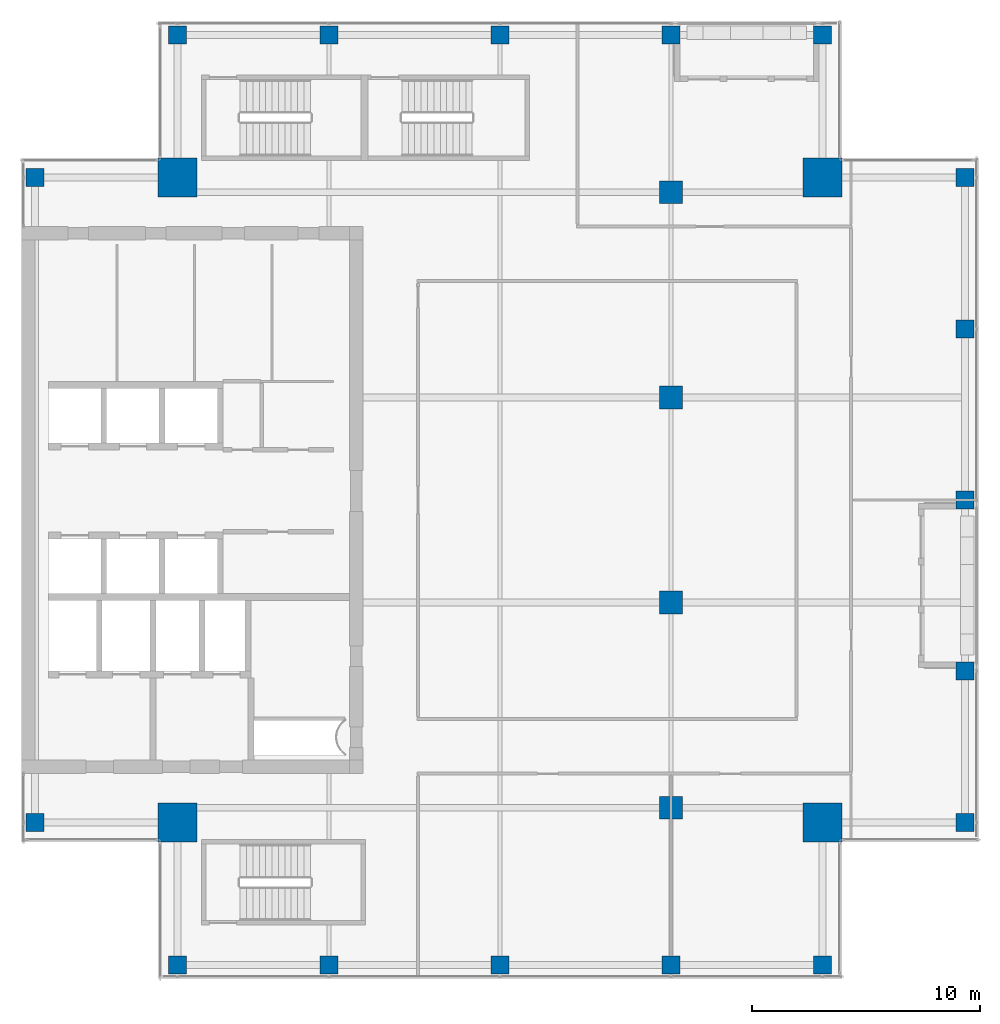
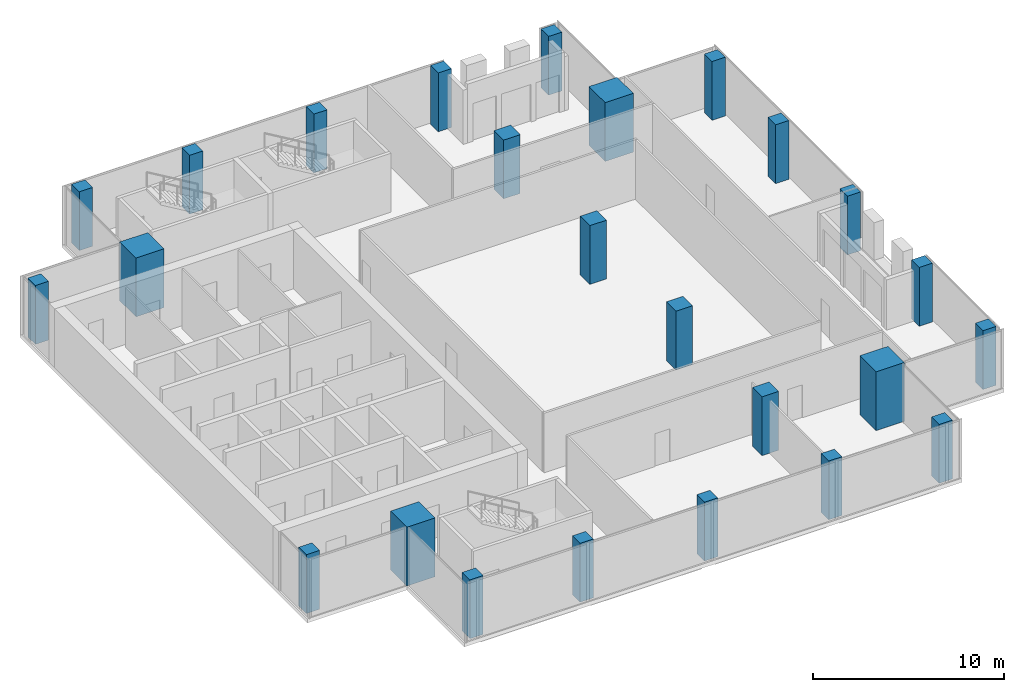
# One storey, part 1 of 29: 25 columns.
"""IFC4 building model written with IfcOpenShell, lengths in metres."""

import ifcopenshell
import ifcopenshell.guid

model = None  # the IFC model being written
_history = None  # IfcOwnerHistory: only IFC2X3 demands one
_inside = {}  # id of a spatial element -> (the spatial element, [elements in it])
_under = {}  # id of a project, library or spatial element -> (it, [spatial elements below it])
_declared = {}  # id of a project -> (the project, [libraries it declares])
_typed = {}  # id of a type object -> (the type object, [elements of that type])
_made_of = {}  # id of a material, layer set ... -> (it, [elements and type objects made of it])


def new_model(schema):
    """Start an empty IFC model of exactly this schema.

    Asked for "IFC4X3", IfcOpenShell would pick the latest addendum, in which some entities
    have other attributes; the version numbers below select the first issue.
    IFC2X3 requires an IfcOwnerHistory on every rooted entity: one is made here for all.
    """
    global model, _history
    if schema == "IFC4X3":
        model = ifcopenshell.file(schema_version=(4, 3, 0, 0))
    else:
        model = ifcopenshell.file(schema=schema)
    _inside.clear()
    _under.clear()
    _declared.clear()
    _typed.clear()
    _made_of.clear()
    _history = None
    if model.schema == "IFC2X3":
        org = make("IfcOrganization", Name="unknown")
        user = make(
            "IfcPersonAndOrganization",
            ThePerson=make("IfcPerson", FamilyName="unknown"),
            TheOrganization=org,
        )
        app = make(
            "IfcApplication",
            ApplicationDeveloper=org,
            Version="unknown",
            ApplicationFullName="unknown",
            ApplicationIdentifier="unknown",
        )
        _history = make(
            "IfcOwnerHistory",
            OwningUser=user,
            OwningApplication=app,
            ChangeAction="ADDED",
            CreationDate=0,
        )
    return model


def make(cls, **values):
    """One entity of the class cls with the attributes given. An attribute that is None is left unset."""
    return model.create_entity(
        cls, **{name: value for name, value in values.items() if value is not None}
    )


def rooted(cls, **values):
    """An entity with a GlobalId (a new one), such as an element, a storey or a relation."""
    return make(cls, GlobalId=ifcopenshell.guid.new(), OwnerHistory=_history, **values)


def si_unit(unit_type, name, prefix=None):
    """IfcSIUnit, for example si_unit("LENGTHUNIT", "METRE", prefix="MILLI")."""
    return make("IfcSIUnit", UnitType=unit_type, Prefix=prefix, Name=name)


def assignment(units):
    """IfcUnitAssignment: the units of a project."""
    return None if units is None else make("IfcUnitAssignment", Units=units)


def point(xyz):
    """IfcCartesianPoint."""
    return None if xyz is None else make("IfcCartesianPoint", Coordinates=xyz)


def direction(xyz):
    """IfcDirection."""
    return None if xyz is None else make("IfcDirection", DirectionRatios=xyz)


def frame(location, z_axis=None, x_axis=None):
    """IfcAxis2Placement3D, a coordinate frame: its origin and axes. An axis left out is left unset."""
    return make(
        "IfcAxis2Placement3D",
        Location=point(location),
        Axis=direction(z_axis),
        RefDirection=direction(x_axis),
    )


def frame_2d(location, x_axis=None):
    """IfcAxis2Placement2D, a coordinate frame in the plane: its origin and x axis."""
    return make(
        "IfcAxis2Placement2D", Location=point(location), RefDirection=direction(x_axis)
    )


def origin():
    """The frame at (0, 0, 0) with its axes left unset."""
    return frame((0.0, 0.0, 0.0))


def origin_2d():
    """The frame at (0, 0) in the plane with its x axis left unset."""
    return frame_2d((0.0, 0.0))


def place(relative_to, where):
    """IfcLocalPlacement: puts the frame where relative to a parent placement (None: the world)."""
    return make(
        "IfcLocalPlacement", PlacementRelTo=relative_to, RelativePlacement=where
    )


def context(
    kind, dimensions, precision=None, world=None, true_north=None, identifier=None
):
    """IfcGeometricRepresentationContext, for example the 3D "Model" context."""
    return make(
        "IfcGeometricRepresentationContext",
        ContextIdentifier=identifier,
        ContextType=kind,
        CoordinateSpaceDimension=dimensions,
        Precision=precision,
        WorldCoordinateSystem=world,
        TrueNorth=true_north,
    )


def subcontext(parent, identifier, kind, view, scale=None):
    """IfcGeometricRepresentationSubContext, for example "Body" below "Model"."""
    return make(
        "IfcGeometricRepresentationSubContext",
        ContextIdentifier=identifier,
        ContextType=kind,
        ParentContext=parent,
        TargetScale=scale,
        TargetView=view,
    )


def project(units=None, contexts=None):
    """IfcProject with its units and contexts."""
    return rooted(
        "IfcProject",
        Name="project",
        RepresentationContexts=contexts,
        UnitsInContext=assignment(units),
    )


def spatial(cls, under=None, at=None, **own):
    """A site, building, storey or space (cls), placed at a placement, below another one or the project."""
    s = rooted(cls, ObjectPlacement=at, **own)
    if under is not None:
        _under.setdefault(under.id(), (under, []))[1].append(s)
    return s


def profile(cls, at=None, kind="AREA", **sizes):
    """A parametric profile (cls). Its sizes go by their IFC names, for example OverallWidth=200.0."""
    return make(cls, ProfileType=kind, Position=at, **sizes)


def rectangle(**sizes):
    """IfcRectangleProfileDef."""
    return profile("IfcRectangleProfileDef", **sizes)


def extrude(swept, where, along, depth):
    """IfcExtrudedAreaSolid: the profile swept, set in the frame where, extruded along a direction by depth."""
    return make(
        "IfcExtrudedAreaSolid",
        SweptArea=swept,
        Position=where,
        ExtrudedDirection=direction(along),
        Depth=depth,
    )


def shape(context_of_items, identifier, shape_type, items):
    """IfcShapeRepresentation: the items that make up one representation, for example the "Body"."""
    return make(
        "IfcShapeRepresentation",
        ContextOfItems=context_of_items,
        RepresentationIdentifier=identifier,
        RepresentationType=shape_type,
        Items=items,
    )


def source(mapping_origin, context_of_items, identifier, shape_type, items):
    """IfcRepresentationMap: a shape defined once, which mapped items show again and again."""
    return make(
        "IfcRepresentationMap",
        MappingOrigin=mapping_origin,
        MappedRepresentation=shape(context_of_items, identifier, shape_type, items),
    )


def transform(
    local_origin,
    x_axis=None,
    y_axis=None,
    z_axis=None,
    scale=None,
    scale2=None,
    scale3=None,
    uniform=True,
):
    """IfcCartesianTransformationOperator3D, or its non-uniform kind. x_axis, y_axis, z_axis: its Axis1, 2, 3."""
    if uniform:
        return make(
            "IfcCartesianTransformationOperator3D",
            Axis1=direction(x_axis),
            Axis2=direction(y_axis),
            LocalOrigin=point(local_origin),
            Scale=scale,
            Axis3=direction(z_axis),
        )
    return make(
        "IfcCartesianTransformationOperator3DnonUniform",
        Axis1=direction(x_axis),
        Axis2=direction(y_axis),
        LocalOrigin=point(local_origin),
        Scale=scale,
        Axis3=direction(z_axis),
        Scale2=scale2,
        Scale3=scale3,
    )


def mapped(mapping_source, mapping_target):
    """IfcMappedItem: shows the shape of a source again, moved by a transform."""
    return make(
        "IfcMappedItem", MappingSource=mapping_source, MappingTarget=mapping_target
    )


def material(Name=None, Category=None):
    """IfcMaterial."""
    return make("IfcMaterial", Name=Name, Category=Category)


def material_profile(
    of_material, cross_section, Name=None, Category=None, Priority=None
):
    """IfcMaterialProfile: a cross section and its material."""
    return make(
        "IfcMaterialProfile",
        Name=Name,
        Material=of_material,
        Profile=cross_section,
        Priority=Priority,
        Category=Category,
    )


def profile_set(profiles, Name=None, composite=None):
    """IfcMaterialProfileSet."""
    return make(
        "IfcMaterialProfileSet",
        Name=Name,
        MaterialProfiles=profiles,
        CompositeProfile=composite,
    )


def made_of(thing, what):
    """Note that an element or type object is made of a material, layer set ...; save() writes the relation."""
    if what is not None:
        _made_of.setdefault(what.id(), (what, []))[1].append(thing)
    return thing


def type_object(cls, material=None, **own):
    """A type object (cls), such as IfcWallType, which elements share."""
    return made_of(rooted(cls, **own), material)


def element(
    cls,
    number,
    at=None,
    inside=None,
    cuts=None,
    type_object=None,
    material=None,
    context=None,
    identifier="Body",
    shape_type=None,
    held_by="IfcProductDefinitionShape",
    body=None,
    shapes=None,
    **own,
):
    """One element of the class cls, such as IfcWall. Its Tag is "e" and its number.

    at: its placement. inside: the storey or other place that contains it. cuts: it is an
    opening in that element (IfcRelVoidsElement). A single representation is given by context,
    identifier, shape_type and body (its items); several are given by shapes. held_by: the class
    of the entity that holds the representations. save() writes the other relations.
    """
    e = rooted(cls, Tag="e%d" % number, ObjectPlacement=at, **own)
    if body is not None:
        shapes = [shape(context, identifier, shape_type, body)]
    if shapes is not None:
        e.Representation = make(held_by, Representations=shapes)
    if inside is not None:
        _inside.setdefault(inside.id(), (inside, []))[1].append(e)
    if cuts is not None:
        rooted(
            "IfcRelVoidsElement", RelatingBuildingElement=cuts, RelatedOpeningElement=e
        )
    if type_object is not None:
        _typed.setdefault(type_object.id(), (type_object, []))[1].append(e)
    return made_of(e, material)


def aggregate(whole, parts):
    """IfcRelAggregates: a whole, such as a stair, and the parts it consists of."""
    return rooted("IfcRelAggregates", RelatingObject=whole, RelatedObjects=parts)


def save(model, path):
    """Write the relations noted so far, then the file.

    IfcRelAggregates (storeys below a building ...), IfcRelContainedInSpatialStructure (elements
    in a storey), IfcRelDefinesByType, IfcRelAssociatesMaterial and IfcRelDeclares: one each for
    every whole, place, type object, material and project.
    """
    for whole, parts in _under.values():
        aggregate(whole, parts)
    for where, things in _inside.values():
        rooted(
            "IfcRelContainedInSpatialStructure",
            RelatedElements=things,
            RelatingStructure=where,
        )
    for kind, things in _typed.values():
        rooted("IfcRelDefinesByType", RelatedObjects=things, RelatingType=kind)
    for what, things in _made_of.values():
        rooted("IfcRelAssociatesMaterial", RelatedObjects=things, RelatingMaterial=what)
    for by, libraries in _declared.values():
        rooted("IfcRelDeclares", RelatingContext=by, RelatedDefinitions=libraries)
    model.write(path)


model = new_model("IFC4")

# Units and contexts
model_context = context("Model", 3, precision=1e-05, world=origin(), true_north=direction((0.0, 1.0)))
body_context = subcontext(model_context, "Body", "Model", "MODEL_VIEW")
ifc_project = project(units=[si_unit("LENGTHUNIT", "METRE"), si_unit("AREAUNIT", "SQUARE_METRE"), si_unit("VOLUMEUNIT", "CUBIC_METRE"), si_unit("PLANEANGLEUNIT", "RADIAN"), si_unit("MASSUNIT", "GRAM", prefix="KILO")], contexts=[model_context])

# Site, building, storey
site_placement = place(None, origin())
site = spatial("IfcSite", under=ifc_project, at=site_placement, CompositionType="ELEMENT")
building_placement = place(site_placement, origin())
building = spatial("IfcBuilding", under=site, at=building_placement, Name="Khomas Fold Tower", CompositionType="ELEMENT")
storey_placement = place(building_placement, frame((0.0, 0.0, 322.199951171875)))
storey = spatial("IfcBuildingStorey", under=building, at=storey_placement, Name="L73", CompositionType="ELEMENT", Elevation=322.199951171875)

# Columns
ifc_material_1 = material(Name="Concrete C50/60", Category="concrete")
ifc_material_profile_1 = material_profile(ifc_material_1, rectangle(XDim=1.0, YDim=1.0, at=origin_2d()), Name="RC 1000x1000")
ifc_profile_set_1 = profile_set([ifc_material_profile_1], Name="Concrete C50/60")
column_type_1 = type_object("IfcColumnType", Name="RC 1000x1000 column", PredefinedType="COLUMN", material=ifc_profile_set_1)
shared_shape_1 = source(origin(), body_context, "Body", "SweptSolid", [
    extrude(rectangle(XDim=1.0, YDim=1.0, at=origin_2d()), origin(), (0.0, 0.0, 1.0), 3.75),
])
for number, where, z_axis, x_axis, name in (
    (1, (34.5, 13.5, 0.0), (0.0, 0.0, 1.0), (1.0, 0.0, 0.0), "C-10-H"),
    (2, (34.5, 22.5, 0.0), (0.0, 0.0, 1.0), (1.0, 0.0, 0.0), "C-10-K"),
    (3, (34.5, 31.5, 0.0), (0.0, 0.0, 1.0), (1.0, 0.0, 0.0), "C-10-M"),
    (4, (34.5, 40.5, 0.0), (0.0, 0.0, 1.0), (1.0, 0.0, 0.0), "C-10-P"),
):
    element("IfcColumn", number, at=place(storey_placement, frame(where, z_axis=z_axis, x_axis=x_axis)), inside=storey, type_object=column_type_1, Name=name, PredefinedType="COLUMN", context=body_context, shape_type="MappedRepresentation", body=[
        mapped(shared_shape_1, transform((0.0, 0.0, 0.0))),
    ])
ifc_material_2 = material(Name="Concrete C60/75", Category="concrete")
ifc_material_profile_2 = material_profile(ifc_material_2, rectangle(XDim=1.699951171875, YDim=1.699951171875, at=origin_2d()), Name="RC 1700x1700")
ifc_profile_set_2 = profile_set([ifc_material_profile_2], Name="Concrete C60/75")
column_type_2 = type_object("IfcColumnType", Name="RC 1700x1700 column", PredefinedType="COLUMN", material=ifc_profile_set_2)
shared_shape_2 = source(origin(), body_context, "Body", "SweptSolid", [
    extrude(rectangle(XDim=1.699951171875, YDim=1.699951171875, at=origin_2d()), origin(), (0.0, 0.0, 1.0), 3.75),
])
for number, where, z_axis, x_axis, name in (
    (5, (41.14990234375, 41.14990234375, 0.0), (0.0, 0.0, 1.0), (1.0, 0.0, 0.0), "CM-NE"),
    (6, (12.85009765625, 41.14990234375, 0.0), (0.0, 0.0, 1.0), (1.0, 0.0, 0.0), "CM-NW"),
    (7, (41.14990234375, 12.85009765625, 0.0), (0.0, 0.0, 1.0), (1.0, 0.0, 0.0), "CM-SE"),
    (8, (12.85009765625, 12.85009765625, 0.0), (0.0, 0.0, 1.0), (1.0, 0.0, 0.0), "CM-SW"),
):
    element("IfcColumn", number, at=place(storey_placement, frame(where, z_axis=z_axis, x_axis=x_axis)), inside=storey, type_object=column_type_2, Name=name, PredefinedType="COLUMN", context=body_context, shape_type="MappedRepresentation", body=[
        mapped(shared_shape_2, transform((0.0, 0.0, 0.0))),
    ])
ifc_material_3 = material(Name="Concrete C50/60", Category="concrete")
ifc_material_profile_3 = material_profile(ifc_material_3, rectangle(XDim=0.800048828125, YDim=0.800048828125, at=origin_2d()), Name="RC 800x800")
ifc_profile_set_3 = profile_set([ifc_material_profile_3], Name="Concrete C50/60")
column_type_3 = type_object("IfcColumnType", Name="RC 800x800 column", PredefinedType="COLUMN", material=ifc_profile_set_3)
shared_shape_3 = source(origin(), body_context, "Body", "SweptSolid", [
    extrude(rectangle(XDim=0.800048828125, YDim=0.800048828125, at=origin_2d()), origin(), (0.0, 0.0, 1.0), 3.75),
])
for number, where, z_axis, x_axis, name in (
    (9, (12.85009765625, 6.60009765625, 0.0), (0.0, 0.0, 1.0), (1.0, 0.0, 0.0), "C-7-SF5"),
    (10, (19.5, 6.60009765625, 0.0), (0.0, 0.0, 1.0), (1.0, 0.0, 0.0), "C-8-SF5"),
    (11, (27.0, 6.60009765625, 0.0), (0.0, 0.0, 1.0), (1.0, 0.0, 0.0), "C-9-SF5"),
    (12, (34.5, 6.60009765625, 0.0), (0.0, 0.0, 1.0), (1.0, 0.0, 0.0), "C-10-SF5"),
    (13, (41.14990234375, 6.60009765625, 0.0), (0.0, 0.0, 1.0), (1.0, 0.0, 0.0), "C-12-SF5"),
    (14, (47.39990234375, 12.85009765625, 0.0), (0.0, 0.0, 1.0), (1.0, 0.0, 0.0), "C-E5-G"),
    (15, (47.39990234375, 19.5, 0.0), (0.0, 0.0, 1.0), (1.0, 0.0, 0.0), "C-E5-J"),
    (16, (47.39990234375, 27.0, 0.0), (0.0, 0.0, 1.0), (1.0, 0.0, 0.0), "C-E5-L"),
    (17, (47.39990234375, 34.5, 0.0), (0.0, 0.0, 1.0), (1.0, 0.0, 0.0), "C-E5-N"),
    (18, (47.39990234375, 41.14990234375, 0.0), (0.0, 0.0, 1.0), (1.0, 0.0, 0.0), "C-E5-Q"),
    (19, (12.85009765625, 47.39990234375, 0.0), (0.0, 0.0, 1.0), (1.0, 0.0, 0.0), "C-7-NF5"),
    (20, (19.5, 47.39990234375, 0.0), (0.0, 0.0, 1.0), (1.0, 0.0, 0.0), "C-8-NF5"),
    (21, (27.0, 47.39990234375, 0.0), (0.0, 0.0, 1.0), (1.0, 0.0, 0.0), "C-9-NF5"),
    (22, (34.5, 47.39990234375, 0.0), (0.0, 0.0, 1.0), (1.0, 0.0, 0.0), "C-10-NF5"),
    (23, (41.14990234375, 47.39990234375, 0.0), (0.0, 0.0, 1.0), (1.0, 0.0, 0.0), "C-12-NF5"),
    (24, (6.60009765625, 12.85009765625, 0.0), (0.0, 0.0, 1.0), (1.0, 0.0, 0.0), "C-W5-G"),
    (25, (6.60009765625, 41.14990234375, 0.0), (0.0, 0.0, 1.0), (1.0, 0.0, 0.0), "C-W5-Q"),
):
    element("IfcColumn", number, at=place(storey_placement, frame(where, z_axis=z_axis, x_axis=x_axis)), inside=storey, type_object=column_type_3, Name=name, PredefinedType="COLUMN", context=body_context, shape_type="MappedRepresentation", body=[
        mapped(shared_shape_3, transform((0.0, 0.0, 0.0))),
    ])

save(model, "model.ifc")
